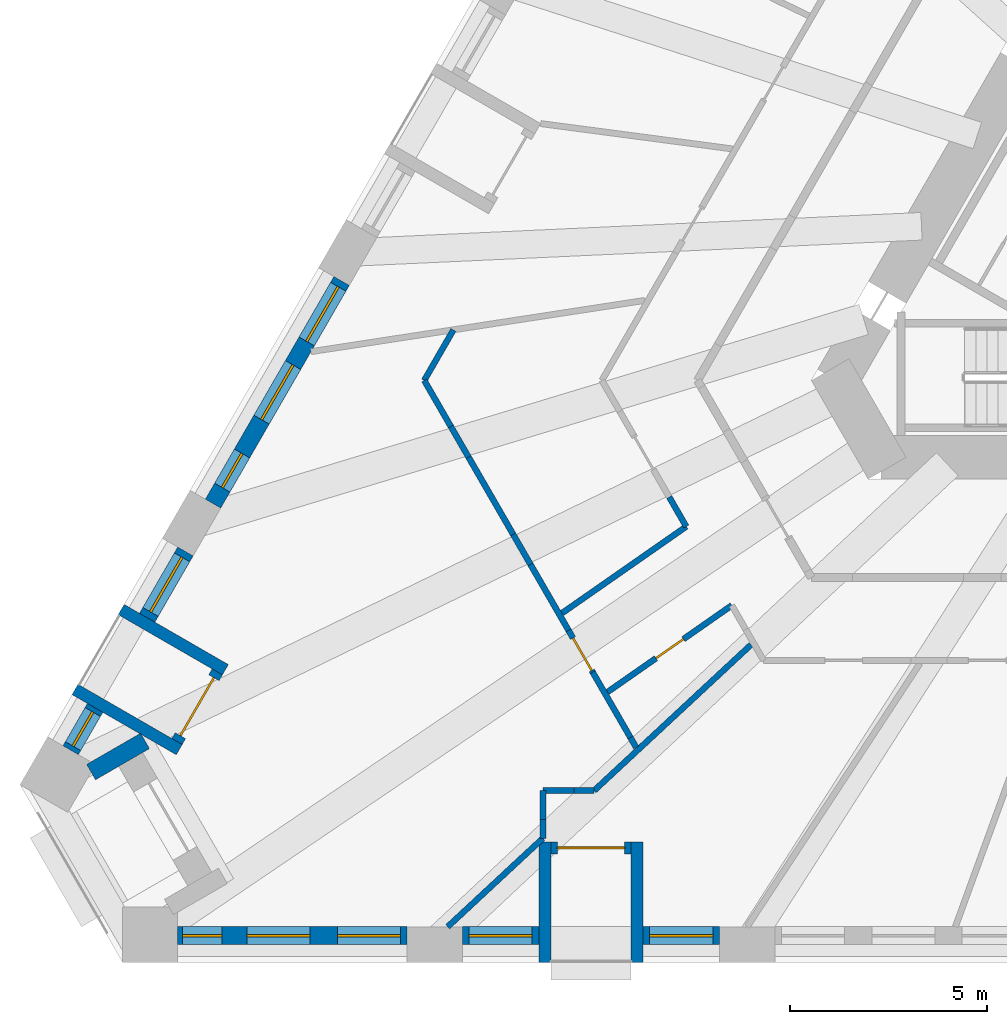
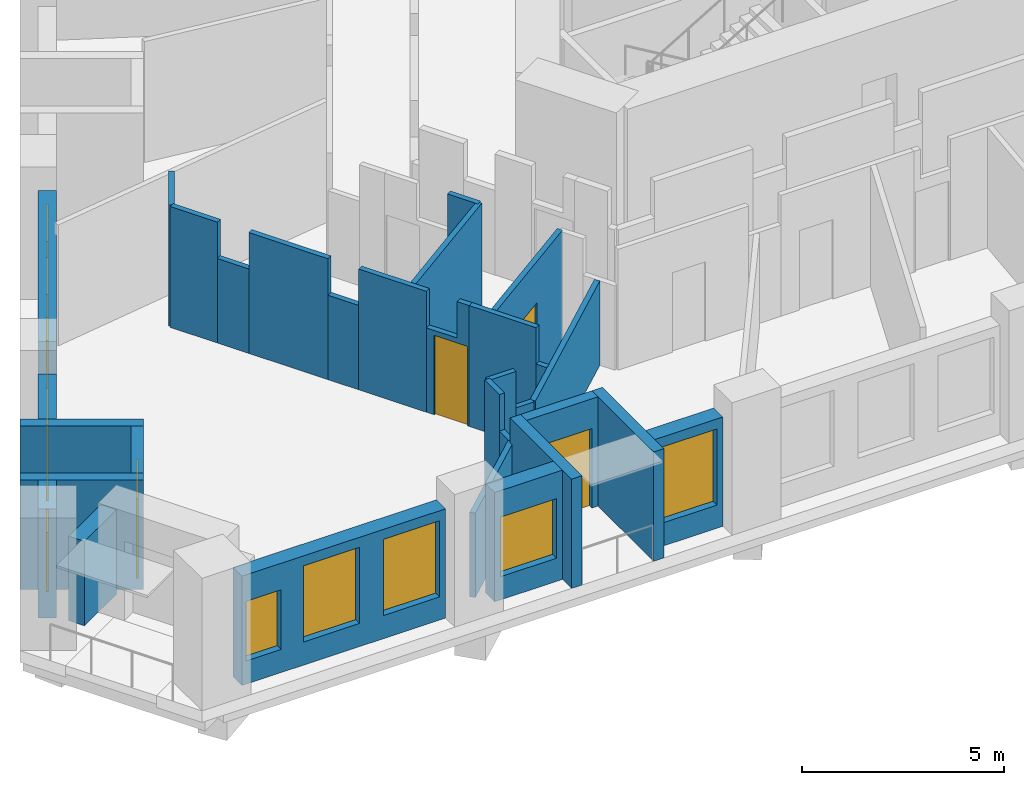
# One storey, part 2 of 14: 31 walls, 10 windows, 4 doors, 14 openings.
"""IFC4 building model written with IfcOpenShell, lengths in metres."""

from ifc_helpers import new_model, si_unit, direction, frame, frame_2d, origin, place, context, subcontext, project, spatial, polyline, rectangle, outline, extrude, material, layer, layer_set, type_object, element, fill, save


model = new_model("IFC4")

# Units and contexts
model_context = context("Model", 3, precision=1e-05, world=origin(), true_north=direction((0.0, 1.0)))
body_context = subcontext(model_context, "Body", "Model", "MODEL_VIEW")
ifc_project = project(units=[si_unit("LENGTHUNIT", "METRE"), si_unit("AREAUNIT", "SQUARE_METRE"), si_unit("VOLUMEUNIT", "CUBIC_METRE"), si_unit("PLANEANGLEUNIT", "RADIAN"), si_unit("MASSUNIT", "GRAM", prefix="KILO")], contexts=[model_context])

# Site, building, storey
site_placement = place(None, origin())
site = spatial("IfcSite", under=ifc_project, at=site_placement, CompositionType="ELEMENT")
building_placement = place(site_placement, origin())
building = spatial("IfcBuilding", under=site, at=building_placement, Name="Tramontana Tower", CompositionType="ELEMENT")
storey_placement = place(building_placement, frame((0.0, 0.0, 38.0)))
storey = spatial("IfcBuildingStorey", under=building, at=storey_placement, Name="L07", CompositionType="ELEMENT", Elevation=38.0)

# Wall, openings, windows
ifc_material_1 = material(Name="Precast concrete 60 MPa", Category="concrete")
ifc_layer_1 = layer(ifc_material_1, 0.449951171875)
ifc_layer_set_1 = layer_set([ifc_layer_1], Name="Precast concrete 60 MPa, 450 mm")
wall_type_1 = type_object("IfcWallType", Name="EW1 Stone-faced precast wall 450", PredefinedType="SOLIDWALL", material=ifc_layer_set_1)
wall_1_placement = place(storey_placement, frame((-22.158447265625, -1.7294921875, 0.0), z_axis=(0.0, 0.0, 1.0), x_axis=(-0.499990498062, -0.866030889661, 0.0)))
wall_1 = element("IfcWall", 1, at=wall_1_placement, inside=storey, type_object=wall_type_1, Name="External wall L07 face 0 bay 6", PredefinedType="SOLIDWALL", context=body_context, shape_type="SweptSolid", body=[
    extrude(rectangle(XDim=6.517822265625, YDim=0.449951171875, at=frame_2d((3.2587890625, 0.0))), origin(), (0.0, 0.0, 1.0), 3.300048828125),
])
opening_1_placement = place(wall_1_placement, frame((0.169677734375, 0.0, 0.699951171875)))
opening_1 = element("IfcOpeningElement", 2, at=opening_1_placement, cuts=wall_1, Name="Opening M1", PredefinedType="OPENING", context=body_context, shape_type="SweptSolid", body=[
    extrude(rectangle(XDim=1.60009765625, YDim=2.300048828125, at=frame_2d((0.800048828125, 1.14990234375))), frame((0.0, 0.23486328125, 0.0), z_axis=(0.0, -1.0, 0.0), x_axis=(1.0, 0.0, 0.0)), (0.0, 0.0, 1.0), 0.469970703125),
])
opening_2_placement = place(wall_1_placement, frame((2.458984375, 0.0, 0.699951171875)))
opening_2 = element("IfcOpeningElement", 3, at=opening_2_placement, cuts=wall_1, Name="Opening M1", PredefinedType="OPENING", context=body_context, shape_type="SweptSolid", body=[
    extrude(rectangle(XDim=1.60009765625, YDim=2.300048828125, at=frame_2d((0.800048828125, 1.14990234375))), frame((0.0, 0.23486328125, 0.0), z_axis=(0.0, -1.0, 0.0), x_axis=(1.0, 0.0, 0.0)), (0.0, 0.0, 1.0), 0.469970703125),
])
opening_3_placement = place(wall_1_placement, frame((5.04833984375, 0.0, 0.699951171875)))
opening_3 = element("IfcOpeningElement", 4, at=opening_3_placement, cuts=wall_1, Name="Opening N1", PredefinedType="OPENING", context=body_context, shape_type="SweptSolid", body=[
    extrude(rectangle(XDim=1.0, YDim=2.300048828125, at=frame_2d((0.5, 1.14990234375))), frame((0.0, 0.23486328125, 0.0), z_axis=(0.0, -1.0, 0.0), x_axis=(1.0, 0.0, 0.0)), (0.0, 0.0, 1.0), 0.469970703125),
])
ifc_material_2 = material(Name="Aluminum frame, double glazing unit", Category="aluminium")
window_type_1 = type_object("IfcWindowType", Name="M1 Window 1.6 x 2.3", PartitioningType="SINGLE_PANEL", PredefinedType="WINDOW", material=ifc_material_2)
window_1_placement = place(opening_1_placement, origin())
window_1 = element("IfcWindow", 5, at=window_1_placement, inside=storey, type_object=window_type_1, Name="Window M1 L07 face 0 module 16", OverallHeight=2.300048828125, OverallWidth=1.60009765625, PartitioningType="SINGLE_PANEL", PredefinedType="WINDOW", context=body_context, shape_type="SweptSolid", body=[
    extrude(rectangle(XDim=1.60009765625, YDim=2.300048828125, at=frame_2d((0.800048828125, 1.14990234375))), frame((0.0, 0.030029296875, 0.0), z_axis=(0.0, -1.0, 0.0), x_axis=(1.0, 0.0, 0.0)), (0.0, 0.0, 1.0), 0.06005859375),
])
fill(opening_1, window_1)
window_2_placement = place(opening_2_placement, origin())
window_2 = element("IfcWindow", 6, at=window_2_placement, inside=storey, type_object=window_type_1, Name="Window M1 L07 face 0 module 17", OverallHeight=2.300048828125, OverallWidth=1.60009765625, PartitioningType="SINGLE_PANEL", PredefinedType="WINDOW", context=body_context, shape_type="SweptSolid", body=[
    extrude(rectangle(XDim=1.60009765625, YDim=2.300048828125, at=frame_2d((0.800048828125, 1.14990234375))), frame((0.0, 0.030029296875, 0.0), z_axis=(0.0, -1.0, 0.0), x_axis=(1.0, 0.0, 0.0)), (0.0, 0.0, 1.0), 0.06005859375),
])
fill(opening_2, window_2)
ifc_material_3 = material(Name="Aluminum frame, double glazing unit", Category="aluminium")
window_type_2 = type_object("IfcWindowType", Name="N1 Window 1 x 2.3", PartitioningType="SINGLE_PANEL", PredefinedType="WINDOW", material=ifc_material_3)
window_3_placement = place(opening_3_placement, origin())
window_3 = element("IfcWindow", 7, at=window_3_placement, inside=storey, type_object=window_type_2, Name="Window N1 L07 face 0 module 18", OverallHeight=2.300048828125, OverallWidth=1.0, PartitioningType="SINGLE_PANEL", PredefinedType="WINDOW", context=body_context, shape_type="SweptSolid", body=[
    extrude(rectangle(XDim=1.0, YDim=2.300048828125, at=frame_2d((0.5, 1.14990234375))), frame((0.0, 0.030029296875, 0.0), z_axis=(0.0, -1.0, 0.0), x_axis=(1.0, 0.0, 0.0)), (0.0, 0.0, 1.0), 0.06005859375),
])
fill(opening_3, window_3)

# Wall, opening, window
wall_2_placement = place(storey_placement, frame((-26.117431640625, -8.586669921875, 0.0), z_axis=(0.0, 0.0, 1.0), x_axis=(-0.499944052521, -0.866057702667, 0.0)))
wall_2 = element("IfcWall", 8, at=wall_2_placement, inside=storey, type_object=wall_type_1, Name="External wall L07 face 0 bay 7", PredefinedType="SOLIDWALL", context=body_context, shape_type="SweptSolid", body=[
    extrude(rectangle(XDim=1.939208984375, YDim=0.449951171875, at=frame_2d((0.9697265625, 0.0))), origin(), (0.0, 0.0, 1.0), 3.300048828125),
])
opening_4_placement = place(wall_2_placement, frame((0.169677734375, 0.0, 0.699951171875)))
opening_4 = element("IfcOpeningElement", 9, at=opening_4_placement, cuts=wall_2, Name="Opening M1", PredefinedType="OPENING", context=body_context, shape_type="SweptSolid", body=[
    extrude(rectangle(XDim=1.60009765625, YDim=2.300048828125, at=frame_2d((0.800048828125, 1.14990234375))), frame((0.0, 0.23486328125, 0.0), z_axis=(0.0, -1.0, 0.0), x_axis=(1.0, 0.0, 0.0)), (0.0, 0.0, 1.0), 0.469970703125),
])
window_4_placement = place(opening_4_placement, origin())
window_4 = element("IfcWindow", 10, at=window_4_placement, inside=storey, type_object=window_type_1, Name="Window M1 L07 face 0 module 19", OverallHeight=2.300048828125, OverallWidth=1.60009765625, PartitioningType="SINGLE_PANEL", PredefinedType="WINDOW", context=body_context, shape_type="SweptSolid", body=[
    extrude(rectangle(XDim=1.60009765625, YDim=2.300048828125, at=frame_2d((0.800048828125, 1.14990234375))), frame((0.0, 0.030029296875, 0.0), z_axis=(0.0, -1.0, 0.0), x_axis=(1.0, 0.0, 0.0)), (0.0, 0.0, 1.0), 0.06005859375),
])
fill(opening_4, window_4)

wall_3_placement = place(storey_placement, frame((-28.40673828125, -12.5517578125, 0.0), z_axis=(0.0, 0.0, 1.0), x_axis=(-0.499995303914, -0.866028115054, 0.0)))
wall_3 = element("IfcWall", 11, at=wall_3_placement, inside=storey, type_object=wall_type_1, Name="External wall L07 face 0 bay 7", PredefinedType="SOLIDWALL", context=body_context, shape_type="SweptSolid", body=[
    extrude(rectangle(XDim=1.2392578125, YDim=0.449951171875, at=frame_2d((0.61962890625, 0.0))), origin(), (0.0, 0.0, 1.0), 3.300048828125),
])
opening_5_placement = place(wall_3_placement, frame((0.11962890625, 0.0, 0.699951171875)))
opening_5 = element("IfcOpeningElement", 12, at=opening_5_placement, cuts=wall_3, Name="Opening N1L", PredefinedType="OPENING", context=body_context, shape_type="SweptSolid", body=[
    extrude(rectangle(XDim=1.0, YDim=1.800048828125, at=frame_2d((0.5, 0.89990234375))), frame((0.0, 0.23486328125, 0.0), z_axis=(0.0, -1.0, 0.0), x_axis=(1.0, 0.0, 0.0)), (0.0, 0.0, 1.0), 0.469970703125),
])
ifc_material_4 = material(Name="Aluminum frame, double glazing unit", Category="aluminium")
window_type_3 = type_object("IfcWindowType", Name="N1L Window 1 x 1.8", PartitioningType="SINGLE_PANEL", PredefinedType="WINDOW", material=ifc_material_4)
window_5_placement = place(opening_5_placement, origin())
window_5 = element("IfcWindow", 13, at=window_5_placement, inside=storey, type_object=window_type_3, Name="Window N1L L07 face 0 module 21", OverallHeight=1.800048828125, OverallWidth=1.0, PartitioningType="SINGLE_PANEL", PredefinedType="WINDOW", context=body_context, shape_type="SweptSolid", body=[
    extrude(rectangle(XDim=1.0, YDim=1.800048828125, at=frame_2d((0.5, 0.89990234375))), frame((0.0, 0.030029296875, 0.0), z_axis=(0.0, -1.0, 0.0), x_axis=(1.0, 0.0, 0.0)), (0.0, 0.0, 1.0), 0.06005859375),
])
fill(opening_5, window_5)

# Wall, openings, windows
wall_4_placement = place(storey_placement, frame((-26.312744140625, -18.324951171875, 0.0), z_axis=(0.0, 0.0, 1.0), x_axis=(1.0, 0.0, 0.0)))
wall_4 = element("IfcWall", 14, at=wall_4_placement, inside=storey, type_object=wall_type_1, Name="External wall L07 face 1 bay 1", PredefinedType="SOLIDWALL", context=body_context, shape_type="SweptSolid", body=[
    extrude(rectangle(XDim=5.81787109375, YDim=0.449951171875, at=frame_2d((2.908935546875, 0.0))), origin(), (0.0, 0.0, 1.0), 3.300048828125),
])
opening_6_placement = place(wall_4_placement, frame((0.11962890625, 0.0, 0.699951171875)))
opening_6 = element("IfcOpeningElement", 15, at=opening_6_placement, cuts=wall_4, Name="Opening N1L", PredefinedType="OPENING", context=body_context, shape_type="SweptSolid", body=[
    extrude(rectangle(XDim=1.0, YDim=1.800048828125, at=frame_2d((0.5, 0.89990234375))), frame((0.0, 0.23486328125, 0.0), z_axis=(0.0, -1.0, 0.0), x_axis=(1.0, 0.0, 0.0)), (0.0, 0.0, 1.0), 0.469970703125),
])
opening_7_placement = place(wall_4_placement, frame((1.759033203125, 0.0, 0.699951171875)))
opening_7 = element("IfcOpeningElement", 16, at=opening_7_placement, cuts=wall_4, Name="Opening M1", PredefinedType="OPENING", context=body_context, shape_type="SweptSolid", body=[
    extrude(rectangle(XDim=1.60009765625, YDim=2.300048828125, at=frame_2d((0.800048828125, 1.14990234375))), frame((0.0, 0.23486328125, 0.0), z_axis=(0.0, -1.0, 0.0), x_axis=(1.0, 0.0, 0.0)), (0.0, 0.0, 1.0), 0.469970703125),
])
opening_8_placement = place(wall_4_placement, frame((4.04833984375, 0.0, 0.699951171875)))
opening_8 = element("IfcOpeningElement", 17, at=opening_8_placement, cuts=wall_4, Name="Opening M1", PredefinedType="OPENING", context=body_context, shape_type="SweptSolid", body=[
    extrude(rectangle(XDim=1.60009765625, YDim=2.300048828125, at=frame_2d((0.800048828125, 1.14990234375))), frame((0.0, 0.23486328125, 0.0), z_axis=(0.0, -1.0, 0.0), x_axis=(1.0, 0.0, 0.0)), (0.0, 0.0, 1.0), 0.469970703125),
])
window_6_placement = place(opening_7_placement, origin())
window_6 = element("IfcWindow", 18, at=window_6_placement, inside=storey, type_object=window_type_1, Name="Window M1 L07 face 1 module 2", OverallHeight=2.300048828125, OverallWidth=1.60009765625, PartitioningType="SINGLE_PANEL", PredefinedType="WINDOW", context=body_context, shape_type="SweptSolid", body=[
    extrude(rectangle(XDim=1.60009765625, YDim=2.300048828125, at=frame_2d((0.800048828125, 1.14990234375))), frame((0.0, 0.030029296875, 0.0), z_axis=(0.0, -1.0, 0.0), x_axis=(1.0, 0.0, 0.0)), (0.0, 0.0, 1.0), 0.06005859375),
])
fill(opening_7, window_6)
window_7_placement = place(opening_8_placement, origin())
window_7 = element("IfcWindow", 19, at=window_7_placement, inside=storey, type_object=window_type_1, Name="Window M1 L07 face 1 module 3", OverallHeight=2.300048828125, OverallWidth=1.60009765625, PartitioningType="SINGLE_PANEL", PredefinedType="WINDOW", context=body_context, shape_type="SweptSolid", body=[
    extrude(rectangle(XDim=1.60009765625, YDim=2.300048828125, at=frame_2d((0.800048828125, 1.14990234375))), frame((0.0, 0.030029296875, 0.0), z_axis=(0.0, -1.0, 0.0), x_axis=(1.0, 0.0, 0.0)), (0.0, 0.0, 1.0), 0.06005859375),
])
fill(opening_8, window_7)
window_8_placement = place(opening_6_placement, origin())
window_8 = element("IfcWindow", 20, at=window_8_placement, inside=storey, type_object=window_type_3, Name="Window N1L L07 face 1 module 1", OverallHeight=1.800048828125, OverallWidth=1.0, PartitioningType="SINGLE_PANEL", PredefinedType="WINDOW", context=body_context, shape_type="SweptSolid", body=[
    extrude(rectangle(XDim=1.0, YDim=1.800048828125, at=frame_2d((0.5, 0.89990234375))), frame((0.0, 0.030029296875, 0.0), z_axis=(0.0, -1.0, 0.0), x_axis=(1.0, 0.0, 0.0)), (0.0, 0.0, 1.0), 0.06005859375),
])
fill(opening_6, window_8)

# Wall, opening, window
wall_5_placement = place(storey_placement, frame((-19.094970703125, -18.324951171875, 0.0), z_axis=(0.0, 0.0, 1.0), x_axis=(1.0, 0.0, 0.0)))
wall_5 = element("IfcWall", 21, at=wall_5_placement, inside=storey, type_object=wall_type_1, Name="External wall L07 face 1 bay 2", PredefinedType="SOLIDWALL", context=body_context, shape_type="SweptSolid", body=[
    extrude(rectangle(XDim=1.939453125, YDim=0.449951171875, at=frame_2d((0.9697265625, 0.0))), origin(), (0.0, 0.0, 1.0), 3.300048828125),
])
opening_9_placement = place(wall_5_placement, frame((0.169677734375, 0.0, 0.699951171875)))
opening_9 = element("IfcOpeningElement", 22, at=opening_9_placement, cuts=wall_5, Name="Opening M1L", PredefinedType="OPENING", context=body_context, shape_type="SweptSolid", body=[
    extrude(rectangle(XDim=1.60009765625, YDim=1.800048828125, at=frame_2d((0.800048828125, 0.89990234375))), frame((0.0, 0.23486328125, 0.0), z_axis=(0.0, -1.0, 0.0), x_axis=(1.0, 0.0, 0.0)), (0.0, 0.0, 1.0), 0.469970703125),
])
ifc_material_5 = material(Name="Aluminum frame, double glazing unit", Category="aluminium")
window_type_4 = type_object("IfcWindowType", Name="M1L Window 1.6 x 1.8", PartitioningType="SINGLE_PANEL", PredefinedType="WINDOW", material=ifc_material_5)
window_9_placement = place(opening_9_placement, origin())
window_9 = element("IfcWindow", 23, at=window_9_placement, inside=storey, type_object=window_type_4, Name="Window M1L L07 face 1 module 4", OverallHeight=1.800048828125, OverallWidth=1.60009765625, PartitioningType="SINGLE_PANEL", PredefinedType="WINDOW", context=body_context, shape_type="SweptSolid", body=[
    extrude(rectangle(XDim=1.60009765625, YDim=1.800048828125, at=frame_2d((0.800048828125, 0.89990234375))), frame((0.0, 0.030029296875, 0.0), z_axis=(0.0, -1.0, 0.0), x_axis=(1.0, 0.0, 0.0)), (0.0, 0.0, 1.0), 0.06005859375),
])
fill(opening_9, window_9)

wall_6_placement = place(storey_placement, frame((-14.51611328125, -18.324951171875, 0.0), z_axis=(0.0, 0.0, 1.0), x_axis=(1.0, 0.0, 0.0)))
wall_6 = element("IfcWall", 24, at=wall_6_placement, inside=storey, type_object=wall_type_1, Name="External wall L07 face 1 bay 2", PredefinedType="SOLIDWALL", context=body_context, shape_type="SweptSolid", body=[
    extrude(rectangle(XDim=1.939208984375, YDim=0.449951171875, at=frame_2d((0.9697265625, 0.0))), origin(), (0.0, 0.0, 1.0), 3.300048828125),
])
opening_10_placement = place(wall_6_placement, frame((0.169677734375, 0.0, 0.699951171875)))
opening_10 = element("IfcOpeningElement", 25, at=opening_10_placement, cuts=wall_6, Name="Opening M1", PredefinedType="OPENING", context=body_context, shape_type="SweptSolid", body=[
    extrude(rectangle(XDim=1.60009765625, YDim=2.300048828125, at=frame_2d((0.800048828125, 1.14990234375))), frame((0.0, 0.23486328125, 0.0), z_axis=(0.0, -1.0, 0.0), x_axis=(1.0, 0.0, 0.0)), (0.0, 0.0, 1.0), 0.469970703125),
])
window_10_placement = place(opening_10_placement, origin())
window_10 = element("IfcWindow", 26, at=window_10_placement, inside=storey, type_object=window_type_1, Name="Window M1 L07 face 1 module 6", OverallHeight=2.300048828125, OverallWidth=1.60009765625, PartitioningType="SINGLE_PANEL", PredefinedType="WINDOW", context=body_context, shape_type="SweptSolid", body=[
    extrude(rectangle(XDim=1.60009765625, YDim=2.300048828125, at=frame_2d((0.800048828125, 1.14990234375))), frame((0.0, 0.030029296875, 0.0), z_axis=(0.0, -1.0, 0.0), x_axis=(1.0, 0.0, 0.0)), (0.0, 0.0, 1.0), 0.06005859375),
])
fill(opening_10, window_10)

# Wall
wall_7_placement = place(storey_placement, frame((-28.509033203125, -14.17919921875, 0.0), z_axis=(0.0, 0.0, 1.0), x_axis=(0.866046570609, 0.499963336192, 0.0)))
element("IfcWall", 27, at=wall_7_placement, inside=storey, type_object=wall_type_1, Name="Corner loggia side wall L07 K01r", PredefinedType="SOLIDWALL", context=body_context, shape_type="SweptSolid", body=[
    extrude(rectangle(XDim=1.5791015625, YDim=0.449951171875, at=frame_2d((0.78955078125, 0.0))), origin(), (0.0, 0.0, 1.0), 2.550048828125),
])

# Wall, opening, door
ifc_material_6 = material(Name="Precast concrete 60 MPa", Category="concrete")
ifc_layer_2 = layer(ifc_material_6, 0.300048828125)
ifc_layer_set_2 = layer_set([ifc_layer_2], Name="LW1 Stone-faced loggia wall 300")
wall_type_2 = type_object("IfcWallType", Name="LW1 Stone-faced loggia wall 300", PredefinedType="SOLIDWALL", material=ifc_layer_set_2)
wall_8_placement = place(storey_placement, frame((-25.31005859375, -11.638427734375, 0.0), z_axis=(0.0, 0.0, 1.0), x_axis=(-0.500040236659, -0.866002171892, 0.0)))
wall_8 = element("IfcWall", 28, at=wall_8_placement, inside=storey, type_object=wall_type_2, Name="Loggia wall L07 G0S0.19", PredefinedType="SOLIDWALL", context=body_context, shape_type="SweptSolid", body=[
    extrude(rectangle(XDim=2.039306640625, YDim=0.300048828125, at=frame_2d((1.01953125, 0.0))), origin(), (0.0, 0.0, 1.0), 3.300048828125),
])
opening_11_placement = place(wall_8_placement, frame((0.169677734375, 0.0, 0.0)))
opening_11 = element("IfcOpeningElement", 29, at=opening_11_placement, cuts=wall_8, Name="Opening BD-0S0-19", PredefinedType="OPENING", context=body_context, shape_type="SweptSolid", body=[
    extrude(rectangle(XDim=1.699951171875, YDim=2.39990234375, at=frame_2d((0.85009765625, 1.199951171875))), frame((0.0, 0.159912109375, 0.0), z_axis=(0.0, -1.0, 0.0), x_axis=(1.0, 0.0, 0.0)), (0.0, 0.0, 1.0), 0.320068359375),
])
ifc_material_7 = material(Name="Aluminum frame, double glazing unit", Category="aluminium")
door_type_1 = type_object("IfcDoorType", Name="BD1 Sliding door 1.7 x 2.4", OperationType="SLIDING_TO_LEFT", PredefinedType="DOOR", material=ifc_material_7)
door_1_placement = place(opening_11_placement, origin())
door_1 = element("IfcDoor", 30, at=door_1_placement, inside=storey, type_object=door_type_1, Name="Loggia door L07 G0S0.19", OperationType="SLIDING_TO_LEFT", OverallHeight=2.39990234375, OverallWidth=1.699951171875, PredefinedType="DOOR", context=body_context, shape_type="SweptSolid", body=[
    extrude(rectangle(XDim=1.699951171875, YDim=2.39990234375, at=frame_2d((0.85009765625, 1.199951171875))), frame((0.0, 0.02490234375, 0.0), z_axis=(0.0, -1.0, 0.0), x_axis=(1.0, 0.0, 0.0)), (0.0, 0.0, 1.0), 0.050048828125),
])
fill(opening_11, door_1)

# Walls
for number, where, z_axis, x_axis, name in (
    (31, (-27.74658203125, -10.05859375, 0.0), (0.0, 0.0, 1.0), (0.866037623948, -0.499978833458, 0.0), "Loggia return L07 G0S0.19a"),
    (32, (-28.916259765625, -12.08447265625, 0.0), (0.0, 0.0, 1.0), (0.866037623948, -0.499978833458, 0.0), "Loggia return L07 G0S0.19b"),
):
    element("IfcWall", number, at=place(storey_placement, frame(where, z_axis=z_axis, x_axis=x_axis)), inside=storey, type_object=wall_type_2, Name=name, PredefinedType="SOLIDWALL", context=body_context, shape_type="SweptSolid", body=[
        extrude(rectangle(XDim=3.050048828125, YDim=0.300048828125, at=frame_2d((1.52490234375, 0.0))), origin(), (0.0, 0.0, 1.0), 3.300048828125),
    ])

# Wall, opening, door
wall_9_placement = place(storey_placement, frame((-16.85546875, -16.10009765625, 0.0), z_axis=(0.0, 0.0, 1.0), x_axis=(1.0, 0.0, 0.0)))
wall_9 = element("IfcWall", 33, at=wall_9_placement, inside=storey, type_object=wall_type_2, Name="Loggia wall L07 G0S1.4", PredefinedType="SOLIDWALL", context=body_context, shape_type="SweptSolid", body=[
    extrude(rectangle(XDim=2.039306640625, YDim=0.300048828125, at=frame_2d((1.01953125, 0.0))), origin(), (0.0, 0.0, 1.0), 3.300048828125),
])
opening_12_placement = place(wall_9_placement, frame((0.169677734375, 0.0, 0.0)))
opening_12 = element("IfcOpeningElement", 34, at=opening_12_placement, cuts=wall_9, Name="Opening BD-0S1-04", PredefinedType="OPENING", context=body_context, shape_type="SweptSolid", body=[
    extrude(rectangle(XDim=1.699951171875, YDim=2.39990234375, at=frame_2d((0.85009765625, 1.199951171875))), frame((0.0, 0.159912109375, 0.0), z_axis=(0.0, -1.0, 0.0), x_axis=(1.0, 0.0, 0.0)), (0.0, 0.0, 1.0), 0.320068359375),
])
door_2_placement = place(opening_12_placement, origin())
door_2 = element("IfcDoor", 35, at=door_2_placement, inside=storey, type_object=door_type_1, Name="Loggia door L07 G0S1.4", OperationType="SLIDING_TO_LEFT", OverallHeight=2.39990234375, OverallWidth=1.699951171875, PredefinedType="DOOR", context=body_context, shape_type="SweptSolid", body=[
    extrude(rectangle(XDim=1.699951171875, YDim=2.39990234375, at=frame_2d((0.85009765625, 1.199951171875))), frame((0.0, 0.02490234375, 0.0), z_axis=(0.0, -1.0, 0.0), x_axis=(1.0, 0.0, 0.0)), (0.0, 0.0, 1.0), 0.050048828125),
])
fill(opening_12, door_2)

# Walls
for number, where, z_axis, x_axis, name in (
    (36, (-17.005615234375, -19.0, 0.0), (0.0, 0.0, 1.0), (0.0, 1.0, 0.0), "Loggia return L07 G0S1.4a"),
    (37, (-14.666259765625, -19.0, 0.0), (0.0, 0.0, 1.0), (0.0, 1.0, 0.0), "Loggia return L07 G0S1.4b"),
):
    element("IfcWall", number, at=place(storey_placement, frame(where, z_axis=z_axis, x_axis=x_axis)), inside=storey, type_object=wall_type_2, Name=name, PredefinedType="SOLIDWALL", context=body_context, shape_type="SweptSolid", body=[
        extrude(rectangle(XDim=3.050048828125, YDim=0.300048828125, at=frame_2d((1.52490234375, 0.0))), origin(), (0.0, 0.0, 1.0), 3.300048828125),
    ])
ifc_material_8 = material(Name="Gypsum board partition")
ifc_layer_3 = layer(ifc_material_8, 0.14990234375)
ifc_layer_set_3 = layer_set([ifc_layer_3], Name="PARTITION 150")
wall_type_3 = type_object("IfcWallType", Name="PARTITION 150", PredefinedType="PARTITIONING", material=ifc_layer_set_3)
wall_10_placement = place(storey_placement, frame((-20.06298828125, -4.25, 0.0), z_axis=(0.0, 0.0, 1.0), x_axis=(0.500065652488, 0.865987495984, 0.0)))
element("IfcWall", 38, at=wall_10_placement, inside=storey, type_object=wall_type_3, Name="Wall v02-pw01", PredefinedType="PARTITIONING", context=body_context, shape_type="SweptSolid", body=[
    extrude(rectangle(XDim=1.477783203125, YDim=0.14990234375, at=frame_2d((0.73876953125, 0.0))), origin(), (0.0, 0.0, 1.0), 3.64990234375),
])
wall_11_placement = place(storey_placement, frame((-17.055908203125, -15.857177734375, 0.0), z_axis=(0.0, 0.0, 1.0), x_axis=(-0.732360368871, -0.680917241746, 0.0)))
element("IfcWall", 39, at=wall_11_placement, inside=storey, type_object=wall_type_3, Name="Wall v02-pw03-0", PredefinedType="PARTITIONING", context=body_context, shape_type="SweptSolid", body=[
    extrude(rectangle(XDim=3.293701171875, YDim=0.14990234375, at=frame_2d((1.64697265625, 0.0))), origin(), (0.0, 0.0, 1.0), 2.550048828125),
])
wall_12_placement = place(storey_placement, frame((-17.0556640625, -14.65185546875, 0.0), z_axis=(0.0, 0.0, 1.0), x_axis=(0.0, -1.0, 0.0)))
element("IfcWall", 40, at=wall_12_placement, inside=storey, type_object=wall_type_3, Name="Wall v02-pw04-0", PredefinedType="PARTITIONING", context=body_context, shape_type="SweptSolid", body=[
    extrude(rectangle(XDim=0.731689453125, YDim=0.14990234375, at=frame_2d((0.36572265625, 0.0))), origin(), (0.0, 0.0, 1.0), 3.64990234375),
])
wall_13_placement = place(storey_placement, frame((-17.0556640625, -15.383544921875, 0.0), z_axis=(0.0, 0.0, 1.0), x_axis=(0.0, -1.0, 0.0)))
element("IfcWall", 41, at=wall_13_placement, inside=storey, type_object=wall_type_3, Name="Wall v02-pw04-1", PredefinedType="PARTITIONING", context=body_context, shape_type="SweptSolid", body=[
    extrude(rectangle(XDim=0.4736328125, YDim=0.14990234375, at=frame_2d((0.23681640625, 0.0))), origin(), (0.0, 0.0, 1.0), 2.550048828125),
])
wall_14_placement = place(storey_placement, frame((-16.570068359375, -10.14990234375, 0.0), z_axis=(0.0, 0.0, 1.0), x_axis=(0.820344824586, 0.571869188517, 0.0)))
element("IfcWall", 42, at=wall_14_placement, inside=storey, type_object=wall_type_3, Name="Wall v02-pw05", PredefinedType="PARTITIONING", context=body_context, shape_type="SweptSolid", body=[
    extrude(rectangle(XDim=3.8388671875, YDim=0.14990234375, at=frame_2d((1.91943359375, 0.0))), origin(), (0.0, 0.0, 1.0), 3.64990234375),
])
wall_15_placement = place(storey_placement, frame((-15.757080078125, -14.64990234375, 0.0), z_axis=(0.0, 0.0, 1.0), x_axis=(-1.0, 0.0, 0.0)))
element("IfcWall", 43, at=wall_15_placement, inside=storey, type_object=wall_type_3, Name="Wall v02-pw07-0", PredefinedType="PARTITIONING", context=body_context, shape_type="SweptSolid", body=[
    extrude(rectangle(XDim=0.515625, YDim=0.14990234375, at=frame_2d((0.2578125, 0.0))), origin(), (0.0, 0.0, 1.0), 2.550048828125),
])
wall_16_placement = place(storey_placement, frame((-16.272705078125, -14.64990234375, 0.0), z_axis=(0.0, 0.0, 1.0), x_axis=(-1.0, 0.0, 0.0)))
element("IfcWall", 44, at=wall_16_placement, inside=storey, type_object=wall_type_3, Name="Wall v02-pw07-1", PredefinedType="PARTITIONING", context=body_context, shape_type="SweptSolid", body=[
    extrude(rectangle(XDim=0.781005859375, YDim=0.14990234375, at=frame_2d((0.390625, 0.0))), origin(), (0.0, 0.0, 1.0), 3.64990234375),
])
wall_17_placement = place(storey_placement, frame((-14.6904296875, -13.5556640625, 0.0), z_axis=(0.0, 0.0, 1.0), x_axis=(-0.499746649774, 0.866171626203, 0.0)))
element("IfcWall", 45, at=wall_17_placement, inside=storey, type_object=wall_type_3, Name="Wall v02-pw09-0", PredefinedType="PARTITIONING", context=body_context, shape_type="SweptSolid", body=[
    extrude(rectangle(XDim=0.291259765625, YDim=0.14990234375, at=frame_2d((0.1455078125, 0.0))), origin(), (0.0, 0.0, 1.0), 2.550048828125),
])
wall_18_placement = place(storey_placement, frame((-14.8359375, -13.303466796875, 0.0), z_axis=(0.0, 0.0, 1.0), x_axis=(-0.500024487898, 0.866011265228, 0.0)))
element("IfcWall", 46, at=wall_18_placement, inside=storey, type_object=wall_type_3, Name="Wall v02-pw09-1", PredefinedType="PARTITIONING", context=body_context, shape_type="SweptSolid", body=[
    extrude(rectangle(XDim=1.91259765625, YDim=0.14990234375, at=frame_2d((0.956298828125, 0.0))), origin(), (0.0, 0.0, 1.0), 3.64990234375),
])

# Wall, opening, door
wall_19_placement = place(storey_placement, frame((-15.792236328125, -11.647216796875, 0.0), z_axis=(0.0, 0.0, 1.0), x_axis=(-0.500015484165, 0.866016463813, 0.0)))
wall_19 = element("IfcWall", 47, at=wall_19_placement, inside=storey, type_object=wall_type_3, Name="Wall v02-pw09-2", PredefinedType="PARTITIONING", context=body_context, shape_type="SweptSolid", body=[
    extrude(outline(polyline([(0.0, 0.0), (1.22607421875, 0.0), (1.22607421875, 2.550048828125), (0.3486328125, 2.550048828125), (0.3486328125, 3.64990234375), (0.0, 3.64990234375), (0.0, 0.0)])), frame((0.0, 0.074951171875, 0.0), z_axis=(0.0, -1.0, 0.0), x_axis=(1.0, 0.0, 0.0)), (0.0, 0.0, 1.0), 0.14990234375),
])
opening_13_placement = place(wall_19_placement, frame((0.050048828125, 0.0, 0.0)))
opening_13 = element("IfcOpeningElement", 48, at=opening_13_placement, cuts=wall_19, Name="Opening B0C-11", PredefinedType="OPENING", context=body_context, shape_type="SweptSolid", body=[
    extrude(rectangle(XDim=0.949951171875, YDim=2.39990234375, at=frame_2d((0.47509765625, 1.199951171875))), frame((0.0, 0.0849609375, 0.0), z_axis=(0.0, -1.0, 0.0), x_axis=(1.0, 0.0, 0.0)), (0.0, 0.0, 1.0), 0.169921875),
])
ifc_material_9 = material(Name="Painted timber", Category="wood")
door_type_2 = type_object("IfcDoorType", Name="DOOR ROOM 950", OperationType="SINGLE_SWING_LEFT", PredefinedType="DOOR", material=ifc_material_9)
door_3_placement = place(opening_13_placement, origin())
door_3 = element("IfcDoor", 49, at=door_3_placement, inside=storey, type_object=door_type_2, Name="Door B0C-11", OperationType="SINGLE_SWING_LEFT", OverallHeight=2.39990234375, OverallWidth=0.949951171875, PredefinedType="DOOR", context=body_context, shape_type="SweptSolid", body=[
    extrude(rectangle(XDim=0.949951171875, YDim=2.39990234375, at=frame_2d((0.47509765625, 1.199951171875))), frame((0.0, 0.02490234375, 0.0), z_axis=(0.0, -1.0, 0.0), x_axis=(1.0, 0.0, 0.0)), (0.0, 0.0, 1.0), 0.050048828125),
])
fill(opening_13, door_3)

# Walls
wall_20_placement = place(storey_placement, frame((-16.4052734375, -10.58544921875, 0.0), z_axis=(0.0, 0.0, 1.0), x_axis=(-0.499963437846, 0.866046511925, 0.0)))
element("IfcWall", 50, at=wall_20_placement, inside=storey, type_object=wall_type_3, Name="Wall v02-pw09-3", PredefinedType="PARTITIONING", context=body_context, shape_type="SweptSolid", body=[
    extrude(rectangle(XDim=1.929443359375, YDim=0.14990234375, at=frame_2d((0.96484375, 0.0))), origin(), (0.0, 0.0, 1.0), 3.64990234375),
])
wall_21_placement = place(storey_placement, frame((-17.369873046875, -8.91455078125, 0.0), z_axis=(0.0, 0.0, 1.0), x_axis=(-0.499850947872, 0.86611144197, 0.0)))
element("IfcWall", 51, at=wall_21_placement, inside=storey, type_object=wall_type_3, Name="Wall v02-pw09-4", PredefinedType="PARTITIONING", context=body_context, shape_type="SweptSolid", body=[
    extrude(rectangle(XDim=0.877197265625, YDim=0.14990234375, at=frame_2d((0.4384765625, 0.0))), origin(), (0.0, 0.0, 1.0), 2.550048828125),
])
wall_22_placement = place(storey_placement, frame((-17.808349609375, -8.15478515625, 0.0), z_axis=(0.0, 0.0, 1.0), x_axis=(-0.500005951055, 0.866021967914, 0.0)))
element("IfcWall", 52, at=wall_22_placement, inside=storey, type_object=wall_type_3, Name="Wall v02-pw09-5", PredefinedType="PARTITIONING", context=body_context, shape_type="SweptSolid", body=[
    extrude(rectangle(XDim=2.26123046875, YDim=0.14990234375, at=frame_2d((1.130615234375, 0.0))), origin(), (0.0, 0.0, 1.0), 3.64990234375),
])
wall_23_placement = place(storey_placement, frame((-18.93896484375, -6.196533203125, 0.0), z_axis=(0.0, 0.0, 1.0), x_axis=(-0.499996880198, 0.866027204995, 0.0)))
element("IfcWall", 53, at=wall_23_placement, inside=storey, type_object=wall_type_3, Name="Wall v02-pw09-6", PredefinedType="PARTITIONING", context=body_context, shape_type="SweptSolid", body=[
    extrude(rectangle(XDim=0.8984375, YDim=0.14990234375, at=frame_2d((0.44921875, 0.0))), origin(), (0.0, 0.0, 1.0), 2.550048828125),
])
wall_24_placement = place(storey_placement, frame((-19.38818359375, -5.41845703125, 0.0), z_axis=(0.0, 0.0, 1.0), x_axis=(-0.500108776725, 0.865962592404, 0.0)))
element("IfcWall", 54, at=wall_24_placement, inside=storey, type_object=wall_type_3, Name="Wall v02-pw09-7", PredefinedType="PARTITIONING", context=body_context, shape_type="SweptSolid", body=[
    extrude(rectangle(XDim=1.349365234375, YDim=0.14990234375, at=frame_2d((0.6748046875, 0.0))), origin(), (0.0, 0.0, 1.0), 3.64990234375),
])
wall_25_placement = place(storey_placement, frame((-13.4208984375, -7.95458984375, 0.0), z_axis=(0.0, 0.0, 1.0), x_axis=(-0.499975693202, 0.866039436866, 0.0)))
element("IfcWall", 55, at=wall_25_placement, inside=storey, type_object=wall_type_3, Name="Wall v02-pw10-0", PredefinedType="PARTITIONING", context=body_context, shape_type="SweptSolid", body=[
    extrude(rectangle(XDim=0.8623046875, YDim=0.14990234375, at=frame_2d((0.43115234375, 0.0))), origin(), (0.0, 0.0, 1.0), 3.64990234375),
])

# Wall, opening, door
wall_26_placement = place(storey_placement, frame((-12.2666015625, -9.95361328125, 0.0), z_axis=(0.0, 0.0, 1.0), x_axis=(-0.82031498904, -0.571911985149, 0.0)))
wall_26 = element("IfcWall", 56, at=wall_26_placement, inside=storey, type_object=wall_type_3, Name="Wall v02-pw11", PredefinedType="PARTITIONING", context=body_context, shape_type="SweptSolid", body=[
    extrude(rectangle(XDim=3.8388671875, YDim=0.14990234375, at=frame_2d((1.91943359375, 0.0))), origin(), (0.0, 0.0, 1.0), 3.64990234375),
])
opening_14_placement = place(wall_26_placement, frame((1.494384765625, 0.0, 0.0)))
opening_14 = element("IfcOpeningElement", 57, at=opening_14_placement, cuts=wall_26, Name="Opening B0C-10", PredefinedType="OPENING", context=body_context, shape_type="SweptSolid", body=[
    extrude(rectangle(XDim=0.85009765625, YDim=2.39990234375, at=frame_2d((0.425048828125, 1.199951171875))), frame((0.0, 0.0849609375, 0.0), z_axis=(0.0, -1.0, 0.0), x_axis=(1.0, 0.0, 0.0)), (0.0, 0.0, 1.0), 0.169921875),
])
ifc_material_10 = material(Name="Painted timber", Category="wood")
door_type_3 = type_object("IfcDoorType", Name="DOOR BATH 850", OperationType="SINGLE_SWING_LEFT", PredefinedType="DOOR", material=ifc_material_10)
door_4_placement = place(opening_14_placement, origin())
door_4 = element("IfcDoor", 58, at=door_4_placement, inside=storey, type_object=door_type_3, Name="Door B0C-10", OperationType="SINGLE_SWING_RIGHT", OverallHeight=2.39990234375, OverallWidth=0.85009765625, PredefinedType="DOOR", context=body_context, shape_type="SweptSolid", body=[
    extrude(rectangle(XDim=0.85009765625, YDim=2.39990234375, at=frame_2d((0.425048828125, 1.199951171875))), frame((0.0, 0.02490234375, 0.0), z_axis=(0.0, -1.0, 0.0), x_axis=(1.0, 0.0, 0.0)), (0.0, 0.0, 1.0), 0.050048828125),
])
fill(opening_14, door_4)

# Wall
wall_27_placement = place(storey_placement, frame((-11.77783203125, -10.9501953125, 0.0), z_axis=(0.0, 0.0, 1.0), x_axis=(-0.732385257288, -0.680890472034, 0.0)))
element("IfcWall", 59, at=wall_27_placement, inside=storey, type_object=wall_type_3, Name="Wall v02-pw12-0", PredefinedType="PARTITIONING", context=body_context, shape_type="SweptSolid", body=[
    extrude(rectangle(XDim=5.433349609375, YDim=0.14990234375, at=frame_2d((2.716796875, 0.0))), origin(), (0.0, 0.0, 1.0), 2.550048828125),
])

save(model, "model.ifc")
